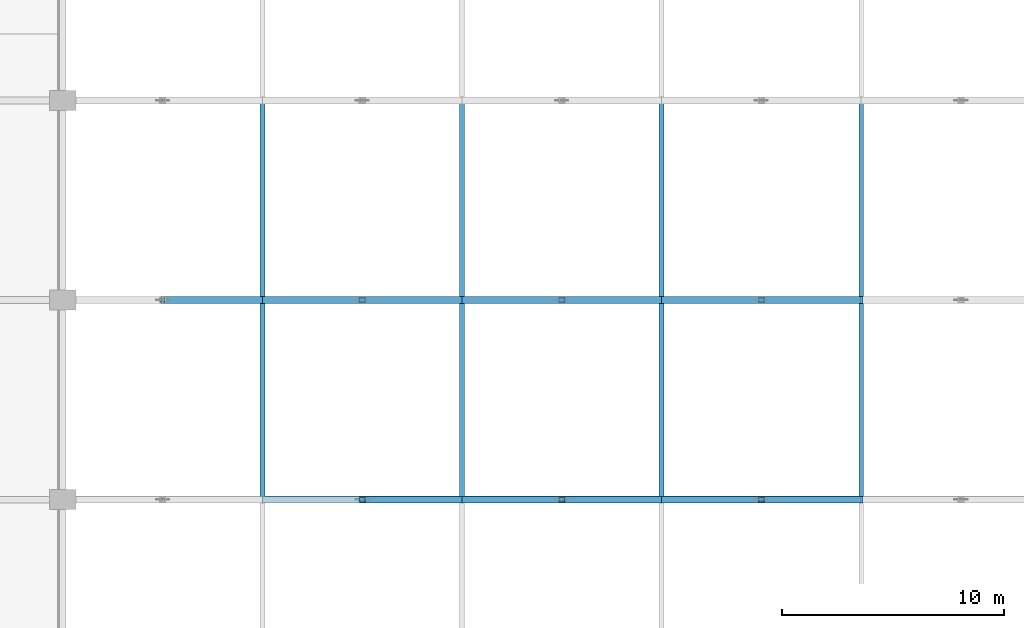
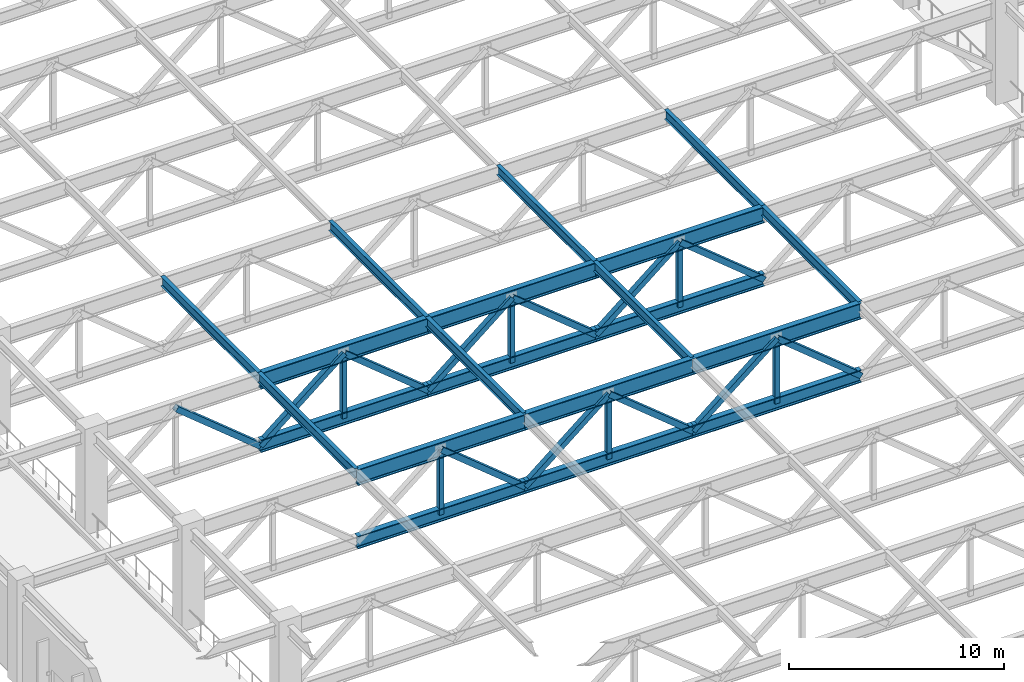
# One storey, part 18 of 223: 20 beams, 18 members.
"""IFC4 building model written with IfcOpenShell, lengths in metres."""

from ifc_helpers import new_model, si_unit, direction, frame, origin, origin_2d, place, context, subcontext, project, spatial, hollow_rectangle, i_section, extrude, material, material_profile, profile_set, type_object, element, save


model = new_model("IFC4")

# Units and contexts
model_context = context("Model", 3, precision=1e-05, world=origin(), true_north=direction((0.0, 1.0)))
body_context = subcontext(model_context, "Body", "Model", "MODEL_VIEW")
ifc_project = project(units=[si_unit("LENGTHUNIT", "METRE"), si_unit("AREAUNIT", "SQUARE_METRE"), si_unit("VOLUMEUNIT", "CUBIC_METRE"), si_unit("PLANEANGLEUNIT", "RADIAN"), si_unit("MASSUNIT", "GRAM", prefix="KILO")], contexts=[model_context])

# Site, building, storey
site_placement = place(None, origin())
site = spatial("IfcSite", under=ifc_project, at=site_placement, CompositionType="ELEMENT")
building_placement = place(site_placement, origin())
building = spatial("IfcBuilding", under=site, at=building_placement, Name="Dornveld Trade and Exhibition Forum", CompositionType="ELEMENT")
storey_placement = place(building_placement, frame((0.0, 0.0, 6.0)))
storey = spatial("IfcBuildingStorey", under=building, at=storey_placement, Name="L01", CompositionType="ELEMENT", Elevation=6.0)

# Beams
ifc_material_1 = material(Name="Steel S355J2", Category="steel")
ifc_material_profile_1 = material_profile(ifc_material_1, i_section(OverallWidth=0.2099609375, OverallDepth=0.550048828125, WebThickness=0.010986328125, FlangeThickness=0.01708984375, FilletRadius=0.02392578125, at=origin_2d()), Name="IPE 550")
ifc_profile_set_1 = profile_set([ifc_material_profile_1], Name="Steel S355J2")
beam_type_1 = type_object("IfcBeamType", Name="BM-SEC-550", PredefinedType="BEAM", material=ifc_profile_set_1)
for number, where, z_axis, x_axis, name in (
    (1, (36.0, 81.0, 5.364990234375), (0.0, 1.0, 0.0), (-1.0, 0.0, 0.0), "Hall 3 secondary deck beam 1379"),
    (2, (36.0, 90.0, 5.364990234375), (0.0, 1.0, 0.0), (-1.0, 0.0, 0.0), "Hall 3 secondary deck beam 1380"),
    (3, (45.0, 81.0, 5.364990234375), (0.0, 1.0, 0.0), (-1.0, 0.0, 0.0), "Hall 3 secondary deck beam 1390"),
    (4, (45.0, 90.0, 5.364990234375), (0.0, 1.0, 0.0), (-1.0, 0.0, 0.0), "Hall 3 secondary deck beam 1391"),
    (5, (54.0, 81.0, 5.364990234375), (0.0, 1.0, 0.0), (-1.0, 0.0, 0.0), "Hall 3 secondary deck beam 1401"),
    (6, (54.0, 90.0, 5.364990234375), (0.0, 1.0, 0.0), (-1.0, 0.0, 0.0), "Hall 3 secondary deck beam 1402"),
    (7, (63.0, 81.0, 5.364990234375), (0.0, 1.0, 0.0), (-1.0, 0.0, 0.0), "Hall 3 secondary deck beam 1412"),
    (8, (63.0, 90.0, 5.364990234375), (0.0, 1.0, 0.0), (-1.0, 0.0, 0.0), "Hall 3 secondary deck beam 1413"),
):
    element("IfcBeam", number, at=place(storey_placement, frame(where, z_axis=z_axis, x_axis=x_axis)), inside=storey, type_object=beam_type_1, Name=name, PredefinedType="BEAM", context=body_context, shape_type="SweptSolid", body=[
        extrude(i_section(OverallWidth=0.2099609375, OverallDepth=0.550048828125, WebThickness=0.010986328125, FlangeThickness=0.01708984375, FilletRadius=0.02392578125, at=origin_2d()), origin(), (0.0, 0.0, 1.0), 9.0),
    ])
ifc_material_2 = material(Name="Steel S355J2", Category="steel")
ifc_material_profile_2 = material_profile(ifc_material_2, i_section(OverallWidth=0.303955078125, OverallDepth=0.716064453125, WebThickness=0.02099609375, FlangeThickness=0.0400390625, FilletRadius=0.027099609375, at=origin_2d()), Name="HEM 700")
ifc_profile_set_2 = profile_set([ifc_material_profile_2], Name="Steel S355J2")
beam_type_2 = type_object("IfcBeamType", Name="BM-TG-BOT700", PredefinedType="USERDEFINED", material=ifc_profile_set_2)
for number, where, z_axis, x_axis, name in (
    (9, (36.0, 81.0, 1.5), (1.0, 0.0, 0.0), (0.0, 1.0, 0.0), "Hall 3 transfer truss 5 bottom chord 2"),
    (10, (45.0, 81.0, 1.5), (1.0, 0.0, 0.0), (0.0, 1.0, 0.0), "Hall 3 transfer truss 5 bottom chord 3"),
    (11, (54.0, 81.0, 1.5), (1.0, 0.0, 0.0), (0.0, 1.0, 0.0), "Hall 3 transfer truss 5 bottom chord 4"),
    (12, (36.0, 90.0, 1.5), (1.0, 0.0, 0.0), (0.0, 1.0, 0.0), "Hall 3 transfer truss 6 bottom chord 2"),
    (13, (45.0, 90.0, 1.5), (1.0, 0.0, 0.0), (0.0, 1.0, 0.0), "Hall 3 transfer truss 6 bottom chord 3"),
    (14, (54.0, 90.0, 1.5), (1.0, 0.0, 0.0), (0.0, 1.0, 0.0), "Hall 3 transfer truss 6 bottom chord 4"),
):
    element("IfcBeam", number, at=place(storey_placement, frame(where, z_axis=z_axis, x_axis=x_axis)), inside=storey, type_object=beam_type_2, Name=name, ObjectType="GIRDER", PredefinedType="USERDEFINED", context=body_context, shape_type="SweptSolid", body=[
        extrude(i_section(OverallWidth=0.303955078125, OverallDepth=0.716064453125, WebThickness=0.02099609375, FlangeThickness=0.0400390625, FilletRadius=0.027099609375, at=origin_2d()), origin(), (0.0, 0.0, 1.0), 9.0),
    ])
ifc_material_3 = material(Name="Steel S355J2", Category="steel")
ifc_material_profile_3 = material_profile(ifc_material_3, i_section(OverallWidth=0.302001953125, OverallDepth=0.909912109375, WebThickness=0.02099609375, FlangeThickness=0.0400390625, FilletRadius=0.030029296875, at=origin_2d()), Name="HEM 900")
ifc_profile_set_3 = profile_set([ifc_material_profile_3], Name="Steel S355J2")
beam_type_3 = type_object("IfcBeamType", Name="BM-TG-TOP900", PredefinedType="USERDEFINED", material=ifc_profile_set_3)
for number, where, z_axis, x_axis, name in (
    (15, (36.0, 81.0, 5.18505859375), (1.0, 0.0, 0.0), (0.0, 1.0, 0.0), "Hall 3 transfer truss 5 top chord 2"),
    (16, (45.0, 81.0, 5.18505859375), (1.0, 0.0, 0.0), (0.0, 1.0, 0.0), "Hall 3 transfer truss 5 top chord 3"),
    (17, (54.0, 81.0, 5.18505859375), (1.0, 0.0, 0.0), (0.0, 1.0, 0.0), "Hall 3 transfer truss 5 top chord 4"),
    (18, (36.0, 90.0, 5.18505859375), (1.0, 0.0, 0.0), (0.0, 1.0, 0.0), "Hall 3 transfer truss 6 top chord 2"),
    (19, (45.0, 90.0, 5.18505859375), (1.0, 0.0, 0.0), (0.0, 1.0, 0.0), "Hall 3 transfer truss 6 top chord 3"),
    (20, (54.0, 90.0, 5.18505859375), (1.0, 0.0, 0.0), (0.0, 1.0, 0.0), "Hall 3 transfer truss 6 top chord 4"),
):
    element("IfcBeam", number, at=place(storey_placement, frame(where, z_axis=z_axis, x_axis=x_axis)), inside=storey, type_object=beam_type_3, Name=name, ObjectType="GIRDER", PredefinedType="USERDEFINED", context=body_context, shape_type="SweptSolid", body=[
        extrude(i_section(OverallWidth=0.302001953125, OverallDepth=0.909912109375, WebThickness=0.02099609375, FlangeThickness=0.0400390625, FilletRadius=0.030029296875, at=origin_2d()), origin(), (0.0, 0.0, 1.0), 9.0),
    ])

# Members
ifc_material_4 = material(Name="Steel S355J2", Category="steel")
ifc_material_profile_4 = material_profile(ifc_material_4, hollow_rectangle(XDim=0.25, YDim=0.25, WallThickness=0.012451171875, at=origin_2d()), Name="SHS 250x250x12.5")
ifc_profile_set_4 = profile_set([ifc_material_profile_4], Name="Steel S355J2")
member_type_1 = type_object("IfcMemberType", Name="MEM-XFER-STR", PredefinedType="STRUT", material=ifc_profile_set_4)
for number, where, z_axis, x_axis, name in (
    (21, (40.5, 81.0, 1.5), (0.0, 0.0, 1.0), (1.0, 0.0, 0.0), "Transfer truss 5 strut 78"),
    (22, (49.5, 81.0, 1.5), (0.0, 0.0, 1.0), (1.0, 0.0, 0.0), "Transfer truss 5 strut 81"),
    (23, (58.5, 81.0, 1.5), (0.0, 0.0, 1.0), (1.0, 0.0, 0.0), "Transfer truss 5 strut 84"),
    (24, (40.5, 90.0, 1.5), (0.0, 0.0, 1.0), (1.0, 0.0, 0.0), "Transfer truss 6 strut 96"),
    (25, (49.5, 90.0, 1.5), (0.0, 0.0, 1.0), (1.0, 0.0, 0.0), "Transfer truss 6 strut 99"),
    (26, (58.5, 90.0, 1.5), (0.0, 0.0, 1.0), (1.0, 0.0, 0.0), "Transfer truss 6 strut 102"),
):
    element("IfcMember", number, at=place(storey_placement, frame(where, z_axis=z_axis, x_axis=x_axis)), inside=storey, type_object=member_type_1, Name=name, PredefinedType="STRUT", context=body_context, shape_type="SweptSolid", body=[
        extrude(hollow_rectangle(XDim=0.25, YDim=0.25, WallThickness=0.012451171875, at=origin_2d()), origin(), (0.0, 0.0, 1.0), 3.68505859375),
    ])
ifc_material_5 = material(Name="Steel S355J2", Category="steel")
ifc_material_profile_5 = material_profile(ifc_material_5, hollow_rectangle(XDim=0.300048828125, YDim=0.300048828125, WallThickness=0.01611328125, at=origin_2d()), Name="SHS 300x300x16")
ifc_profile_set_5 = profile_set([ifc_material_profile_5], Name="Steel S355J2")
member_type_2 = type_object("IfcMemberType", Name="MEM-XFER-WEB", PredefinedType="BRACE", material=ifc_profile_set_5)
for number, where, z_axis, x_axis, name in (
    (27, (45.0, 81.0, 1.5), (-0.773684181611, 0.0, 0.633571453843), (0.0, -1.0, 0.0), "Transfer truss 5 web 77"),
    (28, (45.0, 81.0, 1.5), (0.773684181611, 0.0, 0.633571453843), (0.0, 1.0, 0.0), "Transfer truss 5 web 79"),
    (29, (54.0, 81.0, 1.5), (-0.773684181611, 0.0, 0.633571453843), (0.0, -1.0, 0.0), "Transfer truss 5 web 80"),
    (30, (54.0, 81.0, 1.5), (0.773684181611, 0.0, 0.633571453843), (0.0, 1.0, 0.0), "Transfer truss 5 web 82"),
    (31, (63.0, 81.0, 1.5), (-0.773684181611, 0.0, 0.633571453843), (0.0, -1.0, 0.0), "Transfer truss 5 web 83"),
    (32, (36.0, 90.0, 1.5), (-0.773684181611, 0.0, 0.633571453843), (0.0, -1.0, 0.0), "Transfer truss 6 web 92"),
    (33, (36.0, 90.0, 1.5), (0.773684181611, 0.0, 0.633571453843), (0.0, 1.0, 0.0), "Transfer truss 6 web 94"),
    (34, (45.0, 90.0, 1.5), (-0.773684181611, 0.0, 0.633571453843), (0.0, -1.0, 0.0), "Transfer truss 6 web 95"),
    (35, (45.0, 90.0, 1.5), (0.773684181611, 0.0, 0.633571453843), (0.0, 1.0, 0.0), "Transfer truss 6 web 97"),
    (36, (54.0, 90.0, 1.5), (-0.773684181611, 0.0, 0.633571453843), (0.0, -1.0, 0.0), "Transfer truss 6 web 98"),
    (37, (54.0, 90.0, 1.5), (0.773684181611, 0.0, 0.633571453843), (0.0, 1.0, 0.0), "Transfer truss 6 web 100"),
    (38, (63.0, 90.0, 1.5), (-0.773684181611, 0.0, 0.633571453843), (0.0, -1.0, 0.0), "Transfer truss 6 web 101"),
):
    element("IfcMember", number, at=place(storey_placement, frame(where, z_axis=z_axis, x_axis=x_axis)), inside=storey, type_object=member_type_2, Name=name, PredefinedType="BRACE", context=body_context, shape_type="SweptSolid", body=[
        extrude(hollow_rectangle(XDim=0.300048828125, YDim=0.300048828125, WallThickness=0.01611328125, at=origin_2d()), origin(), (0.0, 0.0, 1.0), 5.81640625),
    ])

save(model, "model.ifc")
